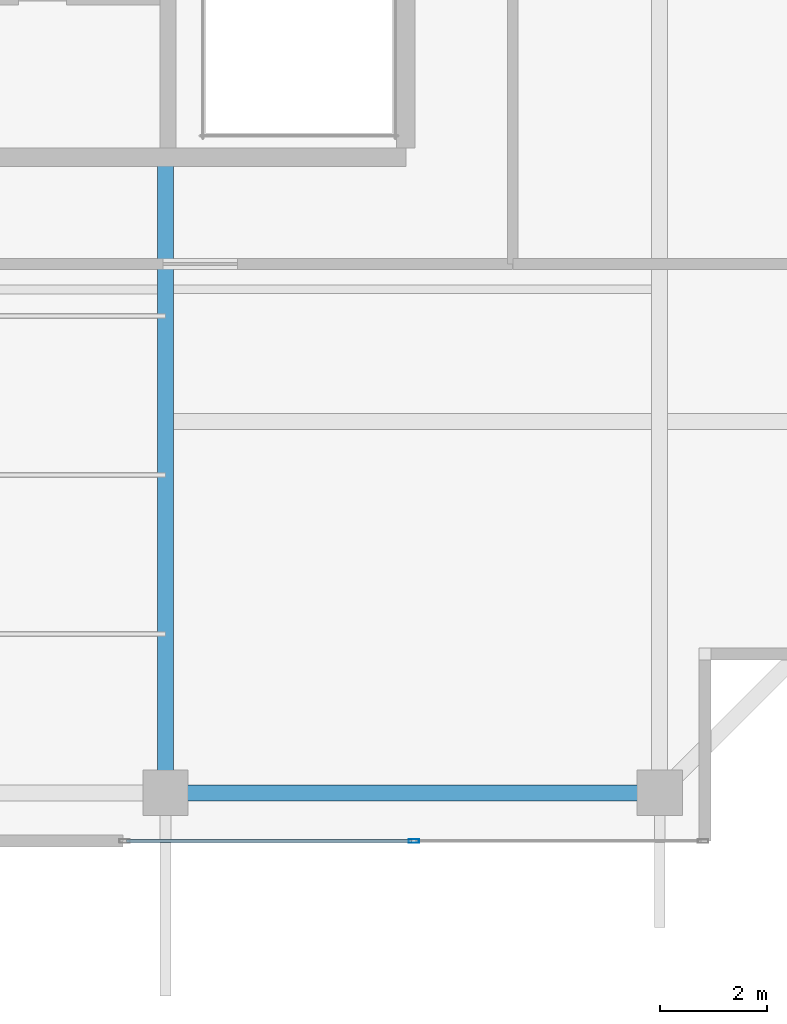
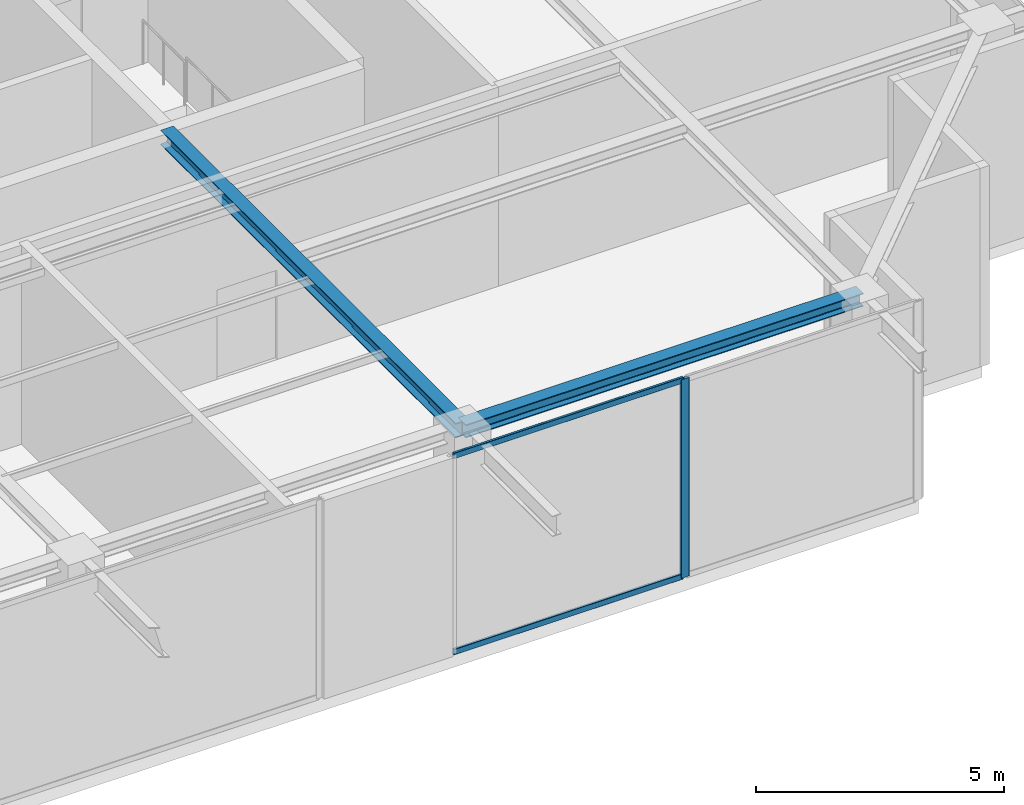
# One storey, part 7 of 27: 3 members, 2 beams, 1 element without a shape of its own.
"""IFC4 building model written with IfcOpenShell, lengths in metres."""

from ifc_helpers import new_model, si_unit, direction, frame, origin, origin_2d, place, context, subcontext, project, spatial, hollow_rectangle, i_section, extrude, source, transform, mapped, material, layer, layer_set, material_profile, profile_set, type_object, element, aggregate, save


model = new_model("IFC4")

# Units and contexts
model_context = context("Model", 3, precision=1e-05, world=origin(), true_north=direction((0.0, 1.0)))
body_context = subcontext(model_context, "Body", "Model", "MODEL_VIEW")
ifc_project = project(units=[si_unit("LENGTHUNIT", "METRE"), si_unit("AREAUNIT", "SQUARE_METRE"), si_unit("VOLUMEUNIT", "CUBIC_METRE"), si_unit("PLANEANGLEUNIT", "RADIAN"), si_unit("MASSUNIT", "GRAM", prefix="KILO")], contexts=[model_context])

# Site, building, storey
site_placement = place(None, origin())
site = spatial("IfcSite", under=ifc_project, at=site_placement, CompositionType="ELEMENT")
building_placement = place(site_placement, origin())
building = spatial("IfcBuilding", under=site, at=building_placement, Name="Serunith Strait Residences", CompositionType="ELEMENT")
storey_placement = place(building_placement, frame((0.0, 0.0, 365.75)))
storey = spatial("IfcBuildingStorey", under=building, at=storey_placement, Name="L89", CompositionType="ELEMENT", Elevation=365.75)

# Beams
ifc_material_1 = material(Name="Steel S355J2", Category="steel")
ifc_material_profile_1 = material_profile(ifc_material_1, i_section(OverallWidth=0.300048828125, OverallDepth=0.360107421875, WebThickness=0.012451171875, FlangeThickness=0.0224609375, FilletRadius=0.027099609375, at=origin_2d()), Name="HEB 360")
ifc_profile_set_1 = profile_set([ifc_material_profile_1], Name="Steel S355J2")
beam_type_1 = type_object("IfcBeamType", Name="BM-HEB360", PredefinedType="BEAM", material=ifc_profile_set_1)
shared_shape_1 = source(origin(), body_context, "Body", "SweptSolid", [
    extrude(i_section(OverallWidth=0.300048828125, OverallDepth=0.360107421875, WebThickness=0.012451171875, FlangeThickness=0.0224609375, FilletRadius=0.027099609375, at=origin_2d()), origin(), (0.0, 0.0, 1.0), 11.900146484375),
])
beam_1_placement = place(storey_placement, frame((36.89990234375, 16.800048828125, 4.717041015625), z_axis=(0.0, -1.0, 0.0), x_axis=(1.0, 0.0, 0.0)))
element("IfcBeam", 1, at=beam_1_placement, inside=storey, type_object=beam_type_1, Name="L89 Primary Floor Girder TC-S3", PredefinedType="BEAM", context=body_context, shape_type="MappedRepresentation", body=[
    mapped(shared_shape_1, transform((0.0, 0.0, 0.0), scale=1.0)),
])
ifc_material_profile_2 = material_profile(ifc_material_1, i_section(OverallWidth=0.300048828125, OverallDepth=0.320068359375, WebThickness=0.011474609375, FlangeThickness=0.0205078125, FilletRadius=0.027099609375, at=origin_2d()), Name="HEB 320")
ifc_profile_set_2 = profile_set([ifc_material_profile_2], Name="Steel S355J2")
beam_type_2 = type_object("IfcBeamType", Name="BM-HEB320", PredefinedType="BEAM", material=ifc_profile_set_2)
shared_shape_2 = source(origin(), body_context, "Body", "SweptSolid", [
    extrude(i_section(OverallWidth=0.300048828125, OverallDepth=0.320068359375, WebThickness=0.011474609375, FlangeThickness=0.0205078125, FilletRadius=0.027099609375, at=origin_2d()), origin(), (0.0, 0.0, 1.0), 9.25),
])
beam_2_placement = place(storey_placement, frame((36.89990234375, 4.89990234375, 4.737060546875), z_axis=(1.0, 0.0, 0.0), x_axis=(0.0, 1.0, 0.0)))
element("IfcBeam", 2, at=beam_2_placement, inside=storey, type_object=beam_type_2, Name="L89 Perimeter Ring Beam 03", PredefinedType="BEAM", context=body_context, shape_type="MappedRepresentation", body=[
    mapped(shared_shape_2, transform((0.0, 0.0, 0.0), scale=1.0)),
])

# Curtain wall, members
ifc_material_2 = material(Name="Pale-Silver Anodised Aluminium", Category="aluminium")
ifc_layer = layer(ifc_material_2, 0.199951171875, Name="Pale-Silver Anodised Aluminium")
ifc_layer_set = layer_set([ifc_layer], Name="Pale-Silver Anodised Aluminium")
curtain_wall_type = type_object("IfcCurtainWallType", Name="CW-SYS7", PredefinedType="NOTDEFINED", material=ifc_layer_set)
curtain_wall_placement = place(storey_placement, origin())
curtain_wall = element("IfcCurtainWall", 3, at=curtain_wall_placement, inside=storey, type_object=curtain_wall_type, Name="L89 S Unitised Fritted Curtain Wall", PredefinedType="NOTDEFINED")
ifc_material_profile_3 = material_profile(ifc_material_2, hollow_rectangle(XDim=0.072021484375, YDim=0.195068359375, WallThickness=0.00390625, InnerFilletRadius=0.006103515625, OuterFilletRadius=0.010009765625, at=origin_2d()), Name="ALU 195x72x4")
ifc_profile_set_3 = profile_set([ifc_material_profile_3], Name="Pale-Silver Anodised Aluminium")
member_type_1 = type_object("IfcMemberType", Name="CW-SYS7-MULL", PredefinedType="MULLION", material=ifc_profile_set_3)
shared_shape_3 = source(origin(), body_context, "Body", "SweptSolid", [
    extrude(hollow_rectangle(XDim=0.072021484375, YDim=0.195068359375, WallThickness=0.00390625, InnerFilletRadius=0.006103515625, OuterFilletRadius=0.010009765625, at=origin_2d()), origin(), (0.0, 0.0, 1.0), 4.885009765625),
])
member_1_placement = place(storey_placement, frame((41.550048828125, 4.0, 0.0), z_axis=(0.0, 0.0, 1.0), x_axis=(0.0, 1.0, 0.0)))
member_1 = element("IfcMember", 4, at=member_1_placement, type_object=member_type_1, Name="CW-7 mullion 2", PredefinedType="MULLION", context=body_context, shape_type="MappedRepresentation", body=[
    mapped(shared_shape_3, transform((0.0, 0.0, 0.0), scale=1.0)),
])
ifc_material_profile_4 = material_profile(ifc_material_2, hollow_rectangle(XDim=0.06005859375, YDim=0.139892578125, WallThickness=0.00341796875, InnerFilletRadius=0.00537109375, OuterFilletRadius=0.0087890625, at=origin_2d()), Name="ALU 140x60x3.5")
ifc_profile_set_4 = profile_set([ifc_material_profile_4], Name="Pale-Silver Anodised Aluminium")
member_type_2 = type_object("IfcMemberType", Name="CW-SYS7-TRAN", PredefinedType="USERDEFINED", material=ifc_profile_set_4)
shared_shape_4 = source(origin(), body_context, "Body", "SweptSolid", [
    extrude(hollow_rectangle(XDim=0.06005859375, YDim=0.139892578125, WallThickness=0.00341796875, InnerFilletRadius=0.00537109375, OuterFilletRadius=0.0087890625, at=origin_2d()), origin(), (0.0, 0.0, 1.0), 5.341796875),
])
member_2_placement = place(storey_placement, frame((36.172119140625, 4.0, 0.030029296875), z_axis=(1.0, 0.0, 0.0), x_axis=(0.0, 1.0, 0.0)))
member_2 = element("IfcMember", 5, at=member_2_placement, type_object=member_type_2, Name="CW-7 transom 1.1", ObjectType="TRANSOM", PredefinedType="USERDEFINED", context=body_context, shape_type="MappedRepresentation", body=[
    mapped(shared_shape_4, transform((0.0, 0.0, 0.0), scale=1.0)),
])
member_3_placement = place(storey_placement, frame((36.172119140625, 4.0, 4.85498046875), z_axis=(1.0, 0.0, 0.0), x_axis=(0.0, 1.0, 0.0)))
member_3 = element("IfcMember", 6, at=member_3_placement, type_object=member_type_2, Name="CW-7 transom 1.2", ObjectType="TRANSOM", PredefinedType="USERDEFINED", context=body_context, shape_type="MappedRepresentation", body=[
    mapped(shared_shape_4, transform((0.0, 0.0, 0.0), scale=1.0)),
])
aggregate(curtain_wall, [member_1, member_2, member_3])

save(model, "model.ifc")
